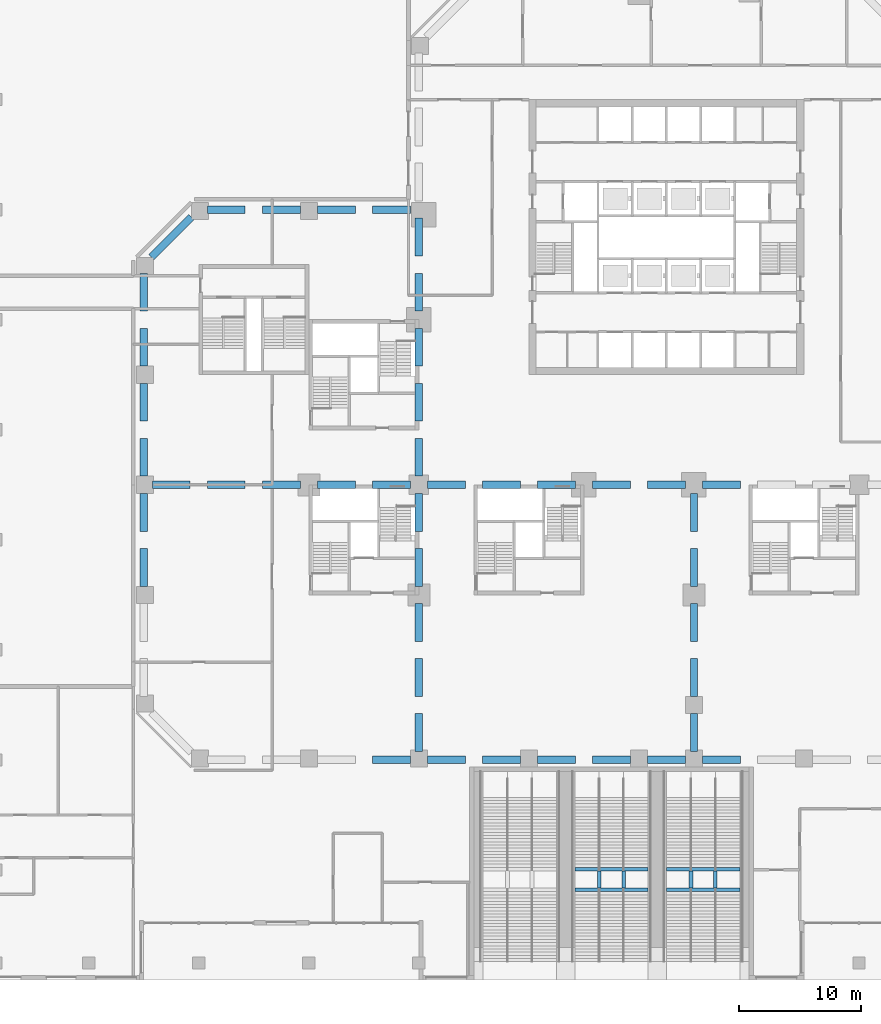
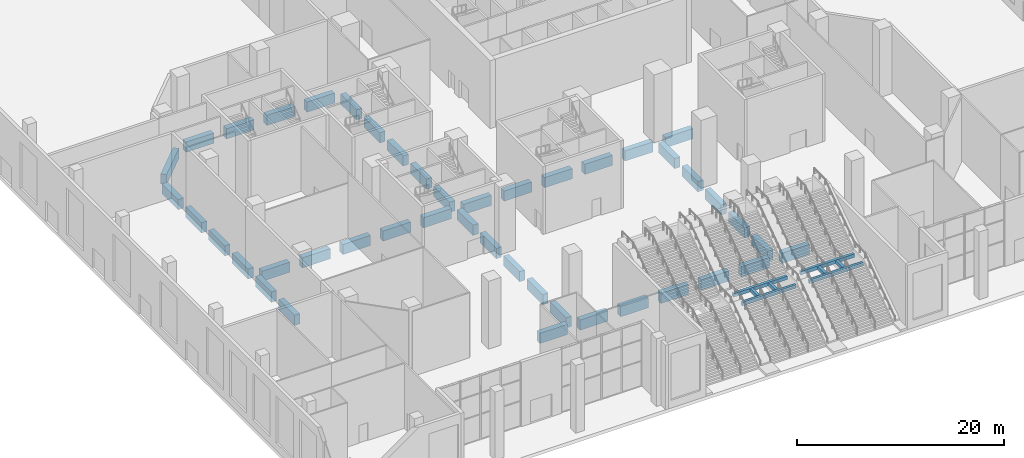
# One storey, part 3 of 32: 52 beams.
"""IFC4 building model written with IfcOpenShell, lengths in metres."""

from ifc_helpers import new_model, si_unit, direction, frame, origin, origin_2d, place, context, subcontext, project, spatial, rectangle, extrude, material, material_profile, profile_set, type_object, element, save


model = new_model("IFC4")

# Units and contexts
model_context = context("Model", 3, precision=1e-05, world=origin(), true_north=direction((0.0, 1.0)))
body_context = subcontext(model_context, "Body", "Model", "MODEL_VIEW")
ifc_project = project(units=[si_unit("LENGTHUNIT", "METRE"), si_unit("AREAUNIT", "SQUARE_METRE"), si_unit("VOLUMEUNIT", "CUBIC_METRE"), si_unit("PLANEANGLEUNIT", "RADIAN"), si_unit("MASSUNIT", "GRAM", prefix="KILO")], contexts=[model_context])

# Site, building, storey
site_placement = place(None, origin())
site = spatial("IfcSite", under=ifc_project, at=site_placement, CompositionType="ELEMENT")
building_placement = place(site_placement, origin())
building = spatial("IfcBuilding", under=site, at=building_placement, Name="Quoin Convention Tower", CompositionType="ELEMENT")
storey_placement = place(building_placement, origin())
storey = spatial("IfcBuildingStorey", under=building, at=storey_placement, Name="L00", CompositionType="ELEMENT", Elevation=0.0)

# Beams
ifc_material_1 = material(Name="Concrete C40", Category="concrete")
ifc_material_profile_1 = material_profile(ifc_material_1, rectangle(XDim=0.300048828125, YDim=0.39990234375, at=origin_2d()), Name="RC 300x400")
ifc_profile_set_1 = profile_set([ifc_material_profile_1], Name="Concrete C40")
beam_type_1 = type_object("IfcBeamType", Name="RC 300x400 C40", PredefinedType="BEAM", material=ifc_profile_set_1)
for number, where, z_axis, x_axis, name in (
    (1, (48.75, 7.3701171875, 3.60009765625), (1.0, 0.0, 0.0), (0.0, 1.0, 0.0), "bst-lb-2F"),
    (2, (48.75, 9.070068359375, 3.60009765625), (1.0, 0.0, 0.0), (0.0, 1.0, 0.0), "bst-lb-2R"),
):
    element("IfcBeam", number, at=place(storey_placement, frame(where, z_axis=z_axis, x_axis=x_axis)), inside=storey, type_object=beam_type_1, Name=name, PredefinedType="BEAM", context=body_context, shape_type="SweptSolid", body=[
        extrude(rectangle(XDim=0.300048828125, YDim=0.39990234375, at=origin_2d()), origin(), (0.0, 0.0, 1.0), 6.0),
    ])
for number, where, z_axis, x_axis, name in (
    (3, (50.75, 7.52001953125, 3.60009765625), (0.0, 1.0, 0.0), (-1.0, 0.0, 0.0), "bst-lb-2J1"),
    (4, (52.75, 7.52001953125, 3.60009765625), (0.0, 1.0, 0.0), (-1.0, 0.0, 0.0), "bst-lb-2J2"),
):
    element("IfcBeam", number, at=place(storey_placement, frame(where, z_axis=z_axis, x_axis=x_axis)), inside=storey, type_object=beam_type_1, Name=name, PredefinedType="BEAM", context=body_context, shape_type="SweptSolid", body=[
        extrude(rectangle(XDim=0.300048828125, YDim=0.39990234375, at=origin_2d()), origin(), (0.0, 0.0, 1.0), 1.39990234375),
    ])
for number, where, z_axis, x_axis, name in (
    (5, (56.25, 7.3701171875, 3.60009765625), (1.0, 0.0, 0.0), (0.0, 1.0, 0.0), "bst-lb-3F"),
    (6, (56.25, 9.070068359375, 3.60009765625), (1.0, 0.0, 0.0), (0.0, 1.0, 0.0), "bst-lb-3R"),
):
    element("IfcBeam", number, at=place(storey_placement, frame(where, z_axis=z_axis, x_axis=x_axis)), inside=storey, type_object=beam_type_1, Name=name, PredefinedType="BEAM", context=body_context, shape_type="SweptSolid", body=[
        extrude(rectangle(XDim=0.300048828125, YDim=0.39990234375, at=origin_2d()), origin(), (0.0, 0.0, 1.0), 6.0),
    ])
for number, where, z_axis, x_axis, name in (
    (7, (58.25, 7.52001953125, 3.60009765625), (0.0, 1.0, 0.0), (-1.0, 0.0, 0.0), "bst-lb-3J1"),
    (8, (60.25, 7.52001953125, 3.60009765625), (0.0, 1.0, 0.0), (-1.0, 0.0, 0.0), "bst-lb-3J2"),
):
    element("IfcBeam", number, at=place(storey_placement, frame(where, z_axis=z_axis, x_axis=x_axis)), inside=storey, type_object=beam_type_1, Name=name, PredefinedType="BEAM", context=body_context, shape_type="SweptSolid", body=[
        extrude(rectangle(XDim=0.300048828125, YDim=0.39990234375, at=origin_2d()), origin(), (0.0, 0.0, 1.0), 1.39990234375),
    ])
ifc_material_2 = material(Name="Concrete C100 (100 MPa)", Category="concrete")
ifc_material_profile_2 = material_profile(ifc_material_2, rectangle(XDim=0.60009765625, YDim=1.199951171875, at=origin_2d()), Name="RC 600x1200")
ifc_profile_set_2 = profile_set([ifc_material_profile_2], Name="Concrete C100 (100 MPa)")
beam_type_2 = type_object("IfcBeamType", Name="RC 600x1200 C100", PredefinedType="SPANDREL", material=ifc_profile_set_2)
for number, where, z_axis, x_axis, name in (
    (9, (32.199951171875, 18.0, -1.0), (1.0, 0.0, 0.0), (0.0, 1.0, 0.0), "spd-L00-31500_18000-36000_18000"),
    (10, (36.699951171875, 18.0, -1.0), (1.0, 0.0, 0.0), (0.0, 1.0, 0.0), "spd-L00-36000_18000-40500_18000"),
    (11, (41.199951171875, 18.0, -1.0), (1.0, 0.0, 0.0), (0.0, 1.0, 0.0), "spd-L00-40500_18000-45000_18000"),
    (12, (45.699951171875, 18.0, -1.0), (1.0, 0.0, 0.0), (0.0, 1.0, 0.0), "spd-L00-45000_18000-49500_18000"),
    (13, (50.199951171875, 18.0, -1.0), (1.0, 0.0, 0.0), (0.0, 1.0, 0.0), "spd-L00-49500_18000-54000_18000"),
    (14, (54.699951171875, 18.0, -1.0), (1.0, 0.0, 0.0), (0.0, 1.0, 0.0), "spd-L00-54000_18000-58500_18000"),
    (15, (59.199951171875, 18.0, -1.0), (1.0, 0.0, 0.0), (0.0, 1.0, 0.0), "spd-L00-58500_18000-63000_18000"),
    (16, (35.300048828125, 63.0, -1.0), (-1.0, 0.0, 0.0), (0.0, -1.0, 0.0), "spd-L00-36000_63000-31500_63000"),
    (17, (30.800048828125, 63.0, -1.0), (-1.0, 0.0, 0.0), (0.0, -1.0, 0.0), "spd-L00-31500_63000-27000_63000"),
    (18, (26.300048828125, 63.0, -1.0), (-1.0, 0.0, 0.0), (0.0, -1.0, 0.0), "spd-L00-27000_63000-22500_63000"),
    (19, (21.800048828125, 63.0, -1.0), (-1.0, 0.0, 0.0), (0.0, -1.0, 0.0), "spd-L00-22500_63000-18000_63000"),
):
    element("IfcBeam", number, at=place(storey_placement, frame(where, z_axis=z_axis, x_axis=x_axis)), inside=storey, type_object=beam_type_2, Name=name, PredefinedType="SPANDREL", context=body_context, shape_type="SweptSolid", body=[
        extrude(rectangle(XDim=0.60009765625, YDim=1.199951171875, at=origin_2d()), origin(), (0.0, 0.0, 1.0), 3.10009765625),
    ])
beam_placement = place(storey_placement, frame((17.385009765625, 62.385009765625, -1.0), z_axis=(-0.707106781187, -0.707106781187, 0.0), x_axis=(0.707106781187, -0.707106781187, 0.0)))
element("IfcBeam", 20, at=beam_placement, inside=storey, type_object=beam_type_2, Name="spd-L00-18000_63000-13500_58500", PredefinedType="SPANDREL", context=body_context, shape_type="SweptSolid", body=[
    extrude(rectangle(XDim=0.60009765625, YDim=1.199951171875, at=origin_2d()), origin(), (0.0, 0.0, 1.0), 4.62451171875),
])
for number, where, z_axis, x_axis, name in (
    (21, (13.5, 57.800048828125, -1.0), (0.0, -1.0, 0.0), (1.0, 0.0, 0.0), "spd-L00-13500_58500-13500_54000"),
    (22, (13.5, 53.300048828125, -1.0), (0.0, -1.0, 0.0), (1.0, 0.0, 0.0), "spd-L00-13500_54000-13500_49500"),
    (23, (13.5, 48.800048828125, -1.0), (0.0, -1.0, 0.0), (1.0, 0.0, 0.0), "spd-L00-13500_49500-13500_45000"),
    (24, (13.5, 44.300048828125, -1.0), (0.0, -1.0, 0.0), (1.0, 0.0, 0.0), "spd-L00-13500_45000-13500_40500"),
    (25, (13.5, 39.800048828125, -1.0), (0.0, -1.0, 0.0), (1.0, 0.0, 0.0), "spd-L00-13500_40500-13500_36000"),
    (26, (13.5, 35.300048828125, -1.0), (0.0, -1.0, 0.0), (1.0, 0.0, 0.0), "spd-L00-13500_36000-13500_31500"),
    (27, (14.199951171875, 40.5, -1.0), (1.0, 0.0, 0.0), (0.0, 1.0, 0.0), "spd-L00-13500_40500-18000_40500"),
    (28, (18.699951171875, 40.5, -1.0), (1.0, 0.0, 0.0), (0.0, 1.0, 0.0), "spd-L00-18000_40500-22500_40500"),
    (29, (23.199951171875, 40.5, -1.0), (1.0, 0.0, 0.0), (0.0, 1.0, 0.0), "spd-L00-22500_40500-27000_40500"),
    (30, (27.699951171875, 40.5, -1.0), (1.0, 0.0, 0.0), (0.0, 1.0, 0.0), "spd-L00-27000_40500-31500_40500"),
    (31, (32.199951171875, 40.5, -1.0), (1.0, 0.0, 0.0), (0.0, 1.0, 0.0), "spd-L00-31500_40500-36000_40500"),
    (32, (36.699951171875, 40.5, -1.0), (1.0, 0.0, 0.0), (0.0, 1.0, 0.0), "spd-L00-36000_40500-40500_40500"),
    (33, (41.199951171875, 40.5, -1.0), (1.0, 0.0, 0.0), (0.0, 1.0, 0.0), "spd-L00-40500_40500-45000_40500"),
    (34, (45.699951171875, 40.5, -1.0), (1.0, 0.0, 0.0), (0.0, 1.0, 0.0), "spd-L00-45000_40500-49500_40500"),
    (35, (50.199951171875, 40.5, -1.0), (1.0, 0.0, 0.0), (0.0, 1.0, 0.0), "spd-L00-49500_40500-54000_40500"),
    (36, (54.699951171875, 40.5, -1.0), (1.0, 0.0, 0.0), (0.0, 1.0, 0.0), "spd-L00-54000_40500-58500_40500"),
    (37, (59.199951171875, 40.5, -1.0), (1.0, 0.0, 0.0), (0.0, 1.0, 0.0), "spd-L00-58500_40500-63000_40500"),
    (38, (36.0, 18.699951171875, -1.0), (0.0, 1.0, 0.0), (-1.0, 0.0, 0.0), "spd-L00-36000_18000-36000_22500"),
    (39, (36.0, 23.199951171875, -1.0), (0.0, 1.0, 0.0), (-1.0, 0.0, 0.0), "spd-L00-36000_22500-36000_27000"),
    (40, (36.0, 27.699951171875, -1.0), (0.0, 1.0, 0.0), (-1.0, 0.0, 0.0), "spd-L00-36000_27000-36000_31500"),
    (41, (36.0, 32.199951171875, -1.0), (0.0, 1.0, 0.0), (-1.0, 0.0, 0.0), "spd-L00-36000_31500-36000_36000"),
    (42, (36.0, 36.699951171875, -1.0), (0.0, 1.0, 0.0), (-1.0, 0.0, 0.0), "spd-L00-36000_36000-36000_40500"),
    (43, (36.0, 41.199951171875, -1.0), (0.0, 1.0, 0.0), (-1.0, 0.0, 0.0), "spd-L00-36000_40500-36000_45000"),
    (44, (36.0, 45.699951171875, -1.0), (0.0, 1.0, 0.0), (-1.0, 0.0, 0.0), "spd-L00-36000_45000-36000_49500"),
    (45, (36.0, 50.199951171875, -1.0), (0.0, 1.0, 0.0), (-1.0, 0.0, 0.0), "spd-L00-36000_49500-36000_54000"),
    (46, (36.0, 54.699951171875, -1.0), (0.0, 1.0, 0.0), (-1.0, 0.0, 0.0), "spd-L00-36000_54000-36000_58500"),
    (47, (36.0, 59.199951171875, -1.0), (0.0, 1.0, 0.0), (-1.0, 0.0, 0.0), "spd-L00-36000_58500-36000_63000"),
    (48, (58.5, 18.699951171875, -1.0), (0.0, 1.0, 0.0), (-1.0, 0.0, 0.0), "spd-L00-58500_18000-58500_22500"),
    (49, (58.5, 23.199951171875, -1.0), (0.0, 1.0, 0.0), (-1.0, 0.0, 0.0), "spd-L00-58500_22500-58500_27000"),
    (50, (58.5, 27.699951171875, -1.0), (0.0, 1.0, 0.0), (-1.0, 0.0, 0.0), "spd-L00-58500_27000-58500_31500"),
    (51, (58.5, 32.199951171875, -1.0), (0.0, 1.0, 0.0), (-1.0, 0.0, 0.0), "spd-L00-58500_31500-58500_36000"),
    (52, (58.5, 36.699951171875, -1.0), (0.0, 1.0, 0.0), (-1.0, 0.0, 0.0), "spd-L00-58500_36000-58500_40500"),
):
    element("IfcBeam", number, at=place(storey_placement, frame(where, z_axis=z_axis, x_axis=x_axis)), inside=storey, type_object=beam_type_2, Name=name, PredefinedType="SPANDREL", context=body_context, shape_type="SweptSolid", body=[
        extrude(rectangle(XDim=0.60009765625, YDim=1.199951171875, at=origin_2d()), origin(), (0.0, 0.0, 1.0), 3.10009765625),
    ])

save(model, "model.ifc")
